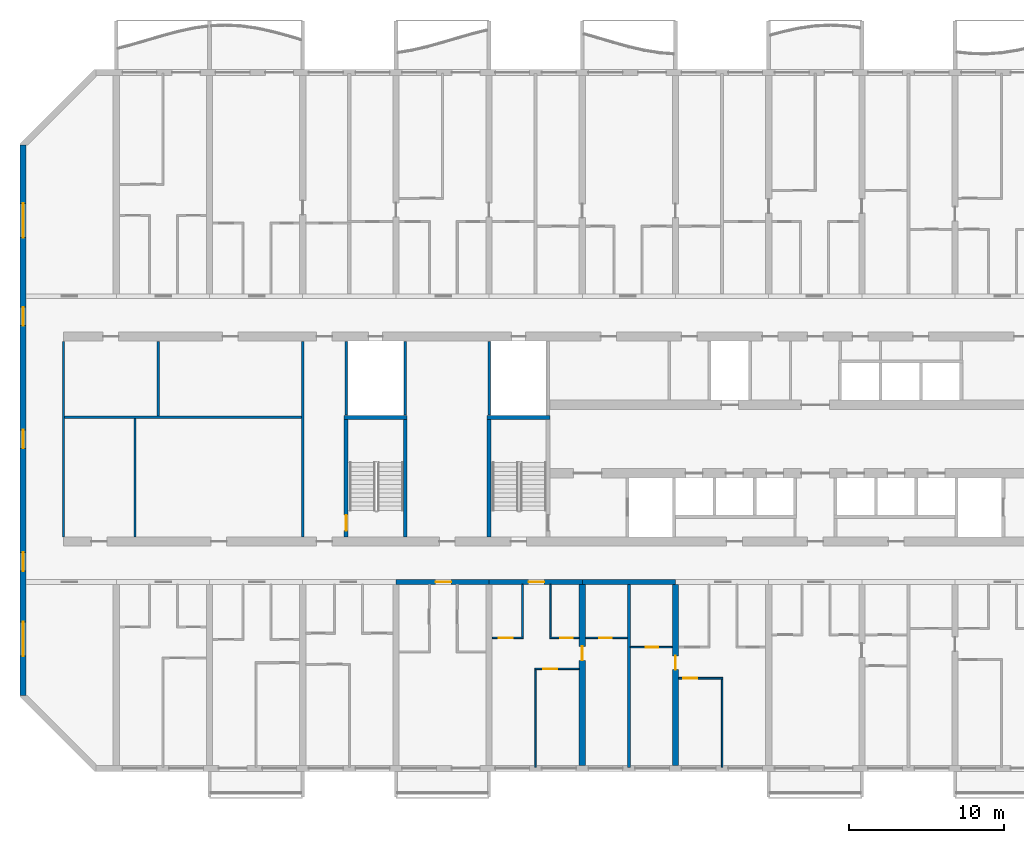
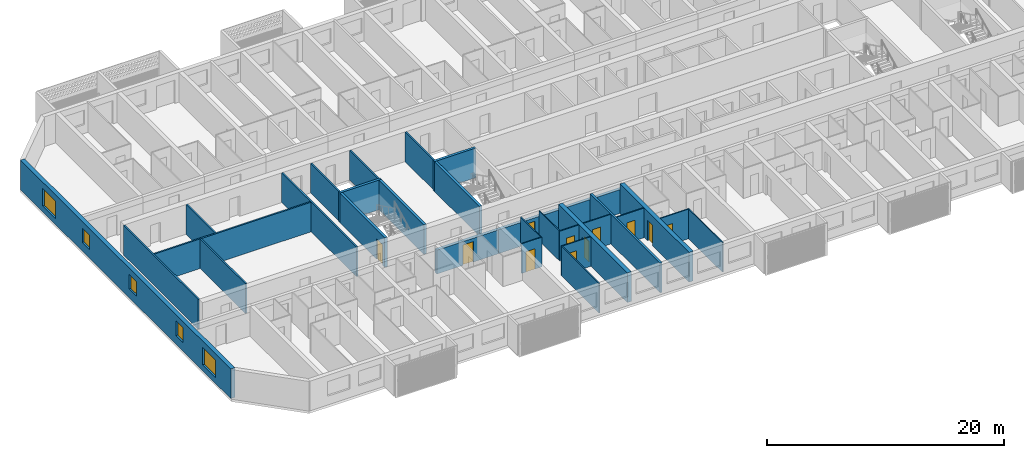
# One storey, part 3 of 40: 30 walls, 11 doors, 5 windows, 16 openings.
"""IFC4 building model written with IfcOpenShell, lengths in metres."""

from ifc_helpers import new_model, si_unit, direction, frame, frame_2d, origin, place, context, subcontext, project, spatial, rectangle, extrude, material, layer, layer_set, type_object, element, fill, save


model = new_model("IFC4")

# Units and contexts
model_context = context("Model", 3, precision=1e-05, world=origin(), true_north=direction((0.0, 1.0)))
body_context = subcontext(model_context, "Body", "Model", "MODEL_VIEW")
ifc_project = project(units=[si_unit("LENGTHUNIT", "METRE"), si_unit("AREAUNIT", "SQUARE_METRE"), si_unit("VOLUMEUNIT", "CUBIC_METRE"), si_unit("PLANEANGLEUNIT", "RADIAN"), si_unit("MASSUNIT", "GRAM", prefix="KILO")], contexts=[model_context])

# Site, building, storey
site_placement = place(None, origin())
site = spatial("IfcSite", under=ifc_project, at=site_placement, CompositionType="ELEMENT")
building_placement = place(site_placement, origin())
building = spatial("IfcBuilding", under=site, at=building_placement, Name="Poui Terraces", CompositionType="ELEMENT")
storey_placement = place(building_placement, frame((0.0, 0.0, 33.300048828125)))
storey = spatial("IfcBuildingStorey", under=building, at=storey_placement, Name="L08", CompositionType="ELEMENT", Elevation=33.300048828125)

# Walls
ifc_material_1 = material(Name="Fire-rated plasterboard wall")
ifc_layer_1 = layer(ifc_material_1, 0.14990234375)
ifc_layer_set_1 = layer_set([ifc_layer_1], Name="Fire-rated plasterboard wall")
wall_type_1 = type_object("IfcWallType", Name="CORRIDOR WALL 150", PredefinedType="PARTITIONING", material=ifc_layer_set_1)
for number, where, z_axis, x_axis, name in (
    (1, (2.60009765625, 14.909912109375, 0.0), (0.0, 0.0, 1.0), (0.0, 1.0, 0.0), "CORRIDOR WALL 150"),
    (2, (18.0, 14.909912109375, 0.0), (0.0, 0.0, 1.0), (0.0, 1.0, 0.0), "CORRIDOR WALL 150"),
):
    element("IfcWall", number, at=place(storey_placement, frame(where, z_axis=z_axis, x_axis=x_axis)), inside=storey, type_object=wall_type_1, Name=name, PredefinedType="PARTITIONING", context=body_context, shape_type="SweptSolid", body=[
        extrude(rectangle(XDim=12.580078125, YDim=0.14990234375, at=frame_2d((6.2900390625, 0.0))), origin(), (0.0, 0.0, 1.0), 3.050048828125),
    ])

# Wall, opening, door
ifc_material_2 = material(Name="Concrete 80 MPa", Category="concrete")
ifc_layer_2 = layer(ifc_material_2, 0.300048828125)
ifc_layer_set_2 = layer_set([ifc_layer_2], Name="Concrete 80 MPa")
wall_type_2 = type_object("IfcWallType", Name="CORRIDOR WALL 300 80MPa", PredefinedType="SHEAR", material=ifc_layer_set_2)
wall_1_placement = place(storey_placement, frame((24.0, 12.0, 0.0), z_axis=(0.0, 0.0, 1.0), x_axis=(1.0, 0.0, 0.0)))
wall_1 = element("IfcWall", 3, at=wall_1_placement, inside=storey, type_object=wall_type_2, Name="CORRIDOR WALL LINE B BAY 5", PredefinedType="SHEAR", context=body_context, shape_type="SweptSolid", body=[
    extrude(rectangle(XDim=6.0, YDim=0.300048828125, at=frame_2d((3.0, 0.0))), origin(), (0.0, 0.0, 1.0), 2.449951171875),
])
opening_1_placement = place(wall_1_placement, frame((2.550048828125, 0.0, 0.0)))
opening_1 = element("IfcOpeningElement", 4, at=opening_1_placement, cuts=wall_1, Name="Opening FD30S", PredefinedType="OPENING", context=body_context, shape_type="SweptSolid", body=[
    extrude(rectangle(XDim=1.0, YDim=2.10009765625, at=frame_2d((0.5, 1.050048828125))), frame((0.0, 0.16015625, 0.0), z_axis=(0.0, -1.0, 0.0), x_axis=(1.0, 0.0, 0.0)), (0.0, 0.0, 1.0), 0.320068359375),
])
ifc_material_3 = material(Name="Steel fire door", Category="steel")
door_type_1 = type_object("IfcDoorType", Name="FLAT ENTRANCE DOOR 1000 X 2100", OperationType="NOTDEFINED", PredefinedType="DOOR", material=ifc_material_3)
door_1_placement = place(opening_1_placement, frame((1.0, 0.0, 0.0), z_axis=(0.0, 0.0, 1.0), x_axis=(-1.0, 0.0, 0.0)))
door_1 = element("IfcDoor", 5, at=door_1_placement, inside=storey, type_object=door_type_1, Name="FLAT ENTRANCE DOOR 104", OperationType="SINGLE_SWING_LEFT", OverallHeight=2.10009765625, OverallWidth=1.0, PredefinedType="DOOR", context=body_context, shape_type="SweptSolid", body=[
    extrude(rectangle(XDim=1.0, YDim=2.10009765625, at=frame_2d((0.5, 1.050048828125))), frame((0.0, 0.02490234375, 0.0), z_axis=(0.0, -1.0, 0.0), x_axis=(1.0, 0.0, 0.0)), (0.0, 0.0, 1.0), 0.050048828125),
])
fill(opening_1, door_1)

wall_2_placement = place(storey_placement, frame((30.0, 12.0, 0.0), z_axis=(0.0, 0.0, 1.0), x_axis=(1.0, 0.0, 0.0)))
wall_2 = element("IfcWall", 6, at=wall_2_placement, inside=storey, type_object=wall_type_2, Name="CORRIDOR WALL LINE B BAY 6", PredefinedType="SHEAR", context=body_context, shape_type="SweptSolid", body=[
    extrude(rectangle(XDim=6.0, YDim=0.300048828125, at=frame_2d((3.0, 0.0))), origin(), (0.0, 0.0, 1.0), 2.449951171875),
])
opening_2_placement = place(wall_2_placement, frame((2.550048828125, 0.0, 0.0)))
opening_2 = element("IfcOpeningElement", 7, at=opening_2_placement, cuts=wall_2, Name="Opening FD30S", PredefinedType="OPENING", context=body_context, shape_type="SweptSolid", body=[
    extrude(rectangle(XDim=1.0, YDim=2.10009765625, at=frame_2d((0.5, 1.050048828125))), frame((0.0, 0.16015625, 0.0), z_axis=(0.0, -1.0, 0.0), x_axis=(1.0, 0.0, 0.0)), (0.0, 0.0, 1.0), 0.320068359375),
])
door_2_placement = place(opening_2_placement, frame((1.0, 0.0, 0.0), z_axis=(0.0, 0.0, 1.0), x_axis=(-1.0, 0.0, 0.0)))
door_2 = element("IfcDoor", 8, at=door_2_placement, inside=storey, type_object=door_type_1, Name="FLAT ENTRANCE DOOR 108", OperationType="SINGLE_SWING_LEFT", OverallHeight=2.10009765625, OverallWidth=1.0, PredefinedType="DOOR", context=body_context, shape_type="SweptSolid", body=[
    extrude(rectangle(XDim=1.0, YDim=2.10009765625, at=frame_2d((0.5, 1.050048828125))), frame((0.0, 0.02490234375, 0.0), z_axis=(0.0, -1.0, 0.0), x_axis=(1.0, 0.0, 0.0)), (0.0, 0.0, 1.0), 0.050048828125),
])
fill(opening_2, door_2)

# Wall
wall_3_placement = place(storey_placement, frame((36.0, 12.0, 0.0), z_axis=(0.0, 0.0, 1.0), x_axis=(1.0, 0.0, 0.0)))
element("IfcWall", 9, at=wall_3_placement, inside=storey, type_object=wall_type_2, Name="CORRIDOR WALL LINE B BAY 7", PredefinedType="SHEAR", context=body_context, shape_type="SweptSolid", body=[
    extrude(rectangle(XDim=6.0, YDim=0.300048828125, at=frame_2d((3.0, 0.0))), origin(), (0.0, 0.0, 1.0), 2.449951171875),
])

# Wall, opening, door
ifc_layer_3 = layer(ifc_material_2, 0.39990234375)
ifc_layer_set_3 = layer_set([ifc_layer_3], Name="Concrete 80 MPa")
wall_type_3 = type_object("IfcWallType", Name="CROSS WALL 400 80MPa", PredefinedType="SHEAR", material=ifc_layer_set_3)
wall_4_placement = place(storey_placement, frame((36.0, 0.199951171875, 0.0), z_axis=(0.0, 0.0, 1.0), x_axis=(0.0, 1.0, 0.0)))
wall_4 = element("IfcWall", 10, at=wall_4_placement, inside=storey, type_object=wall_type_3, Name="CROSS WALL LINE 7 SOUTH", PredefinedType="SHEAR", context=body_context, shape_type="SweptSolid", body=[
    extrude(rectangle(XDim=11.650146484375, YDim=0.39990234375, at=frame_2d((5.8251953125, 0.0))), origin(), (0.0, 0.0, 1.0), 3.050048828125),
])
opening_3_placement = place(wall_4_placement, frame((6.75, 0.0, 0.0)))
opening_3 = element("IfcOpeningElement", 11, at=opening_3_placement, cuts=wall_4, Name="Opening D90", PredefinedType="OPENING", context=body_context, shape_type="SweptSolid", body=[
    extrude(rectangle(XDim=0.89990234375, YDim=2.10009765625, at=frame_2d((0.449951171875, 1.050048828125))), frame((0.0, 0.2099609375, 0.0), z_axis=(0.0, -1.0, 0.0), x_axis=(1.0, 0.0, 0.0)), (0.0, 0.0, 1.0), 0.419921875),
])
ifc_material_4 = material(Name="Solid core timber door", Category="wood")
door_type_2 = type_object("IfcDoorType", Name="INTERNAL DOOR 900 X 2100", OperationType="NOTDEFINED", PredefinedType="DOOR", material=ifc_material_4)
door_3_placement = place(opening_3_placement, frame((0.89990234375, 0.0, 0.0), z_axis=(0.0, 0.0, 1.0), x_axis=(-1.0, 0.0, 0.0)))
door_3 = element("IfcDoor", 12, at=door_3_placement, inside=storey, type_object=door_type_2, Name="INTERNAL DOOR 111", OperationType="SINGLE_SWING_LEFT", OverallHeight=2.10009765625, OverallWidth=0.89990234375, PredefinedType="DOOR", context=body_context, shape_type="SweptSolid", body=[
    extrude(rectangle(XDim=0.89990234375, YDim=2.10009765625, at=frame_2d((0.449951171875, 1.050048828125))), frame((0.0, 0.02490234375, 0.0), z_axis=(0.0, -1.0, 0.0), x_axis=(1.0, 0.0, 0.0)), (0.0, 0.0, 1.0), 0.050048828125),
])
fill(opening_3, door_3)

wall_5_placement = place(storey_placement, frame((42.0, 0.199951171875, 0.0), z_axis=(0.0, 0.0, 1.0), x_axis=(0.0, 1.0, 0.0)))
wall_5 = element("IfcWall", 13, at=wall_5_placement, inside=storey, type_object=wall_type_3, Name="CROSS WALL LINE 8 SOUTH", PredefinedType="SHEAR", context=body_context, shape_type="SweptSolid", body=[
    extrude(rectangle(XDim=11.650146484375, YDim=0.39990234375, at=frame_2d((5.8251953125, 0.0))), origin(), (0.0, 0.0, 1.0), 3.050048828125),
])
opening_4_placement = place(wall_5_placement, frame((6.14990234375, 0.0, 0.0)))
opening_4 = element("IfcOpeningElement", 14, at=opening_4_placement, cuts=wall_5, Name="Opening D90", PredefinedType="OPENING", context=body_context, shape_type="SweptSolid", body=[
    extrude(rectangle(XDim=0.89990234375, YDim=2.10009765625, at=frame_2d((0.449951171875, 1.050048828125))), frame((0.0, 0.2099609375, 0.0), z_axis=(0.0, -1.0, 0.0), x_axis=(1.0, 0.0, 0.0)), (0.0, 0.0, 1.0), 0.419921875),
])
door_4_placement = place(opening_4_placement, origin())
door_4 = element("IfcDoor", 15, at=door_4_placement, inside=storey, type_object=door_type_2, Name="INTERNAL DOOR 113", OperationType="SINGLE_SWING_RIGHT", OverallHeight=2.10009765625, OverallWidth=0.89990234375, PredefinedType="DOOR", context=body_context, shape_type="SweptSolid", body=[
    extrude(rectangle(XDim=0.89990234375, YDim=2.10009765625, at=frame_2d((0.449951171875, 1.050048828125))), frame((0.0, 0.02490234375, 0.0), z_axis=(0.0, -1.0, 0.0), x_axis=(1.0, 0.0, 0.0)), (0.0, 0.0, 1.0), 0.050048828125),
])
fill(opening_4, door_4)

# Wall, openings, windows
ifc_layer_4 = layer(ifc_material_2, 0.39990234375)
ifc_layer_set_4 = layer_set([ifc_layer_4], Name="Concrete 80 MPa")
wall_type_4 = type_object("IfcWallType", Name="END WALL 400 80MPa", PredefinedType="SHEAR", material=ifc_layer_set_4)
wall_6_placement = place(storey_placement, frame((0.0, 4.682861328125, 0.0), z_axis=(0.0, 0.0, 1.0), x_axis=(0.0, 1.0, 0.0)))
wall_6 = element("IfcWall", 16, at=wall_6_placement, inside=storey, type_object=wall_type_4, Name="END WALL WEST", PredefinedType="SHEAR", context=body_context, shape_type="SweptSolid", body=[
    extrude(rectangle(XDim=35.434326171875, YDim=0.39990234375, at=frame_2d((17.71728515625, 0.0))), origin(), (0.0, 0.0, 1.0), 3.050048828125),
])
opening_5_placement = place(wall_6_placement, frame((23.817138671875, 0.0, 0.89990234375)))
opening_5 = element("IfcOpeningElement", 17, at=opening_5_placement, cuts=wall_6, Name="Opening W2", PredefinedType="OPENING", context=body_context, shape_type="SweptSolid", body=[
    extrude(rectangle(XDim=1.199951171875, YDim=1.5, at=frame_2d((0.60009765625, 0.75))), frame((0.0, 0.2099609375, 0.0), z_axis=(0.0, -1.0, 0.0), x_axis=(1.0, 0.0, 0.0)), (0.0, 0.0, 1.0), 0.419921875),
])
opening_6_placement = place(wall_6_placement, frame((8.01708984375, 0.0, 0.89990234375)))
opening_6 = element("IfcOpeningElement", 18, at=opening_6_placement, cuts=wall_6, Name="Opening W2", PredefinedType="OPENING", context=body_context, shape_type="SweptSolid", body=[
    extrude(rectangle(XDim=1.199951171875, YDim=1.5, at=frame_2d((0.60009765625, 0.75))), frame((0.0, 0.2099609375, 0.0), z_axis=(0.0, -1.0, 0.0), x_axis=(1.0, 0.0, 0.0)), (0.0, 0.0, 1.0), 0.419921875),
])
opening_7_placement = place(wall_6_placement, frame((15.917236328125, 0.0, 0.89990234375)))
opening_7 = element("IfcOpeningElement", 19, at=opening_7_placement, cuts=wall_6, Name="Opening W2", PredefinedType="OPENING", context=body_context, shape_type="SweptSolid", body=[
    extrude(rectangle(XDim=1.199951171875, YDim=1.5, at=frame_2d((0.60009765625, 0.75))), frame((0.0, 0.2099609375, 0.0), z_axis=(0.0, -1.0, 0.0), x_axis=(1.0, 0.0, 0.0)), (0.0, 0.0, 1.0), 0.419921875),
])
opening_8_placement = place(wall_6_placement, frame((29.493408203125, 0.0, 0.60009765625)))
opening_8 = element("IfcOpeningElement", 20, at=opening_8_placement, cuts=wall_6, Name="Opening W3", PredefinedType="OPENING", context=body_context, shape_type="SweptSolid", body=[
    extrude(rectangle(XDim=2.199951171875, YDim=1.800048828125, at=frame_2d((1.10009765625, 0.89990234375))), frame((0.0, 0.2099609375, 0.0), z_axis=(0.0, -1.0, 0.0), x_axis=(1.0, 0.0, 0.0)), (0.0, 0.0, 1.0), 0.419921875),
])
opening_9_placement = place(wall_6_placement, frame((2.541015625, 0.0, 0.60009765625)))
opening_9 = element("IfcOpeningElement", 21, at=opening_9_placement, cuts=wall_6, Name="Opening W3", PredefinedType="OPENING", context=body_context, shape_type="SweptSolid", body=[
    extrude(rectangle(XDim=2.199951171875, YDim=1.800048828125, at=frame_2d((1.10009765625, 0.89990234375))), frame((0.0, 0.2099609375, 0.0), z_axis=(0.0, -1.0, 0.0), x_axis=(1.0, 0.0, 0.0)), (0.0, 0.0, 1.0), 0.419921875),
])
ifc_material_5 = material(Name="Clear glass in aluminium frame", Category="aluminium")
window_type_1 = type_object("IfcWindowType", Name="WINDOW 1200X1500", PartitioningType="SINGLE_PANEL", PredefinedType="WINDOW", material=ifc_material_5)
window_1_placement = place(opening_5_placement, origin())
window_1 = element("IfcWindow", 22, at=window_1_placement, inside=storey, type_object=window_type_1, Name="W2 WINDOW", OverallHeight=1.5, OverallWidth=1.199951171875, PartitioningType="SINGLE_PANEL", PredefinedType="WINDOW", context=body_context, shape_type="SweptSolid", body=[
    extrude(rectangle(XDim=1.199951171875, YDim=1.5, at=frame_2d((0.60009765625, 0.75))), frame((0.0, 0.030029296875, 0.0), z_axis=(0.0, -1.0, 0.0), x_axis=(1.0, 0.0, 0.0)), (0.0, 0.0, 1.0), 0.06005859375),
])
fill(opening_5, window_1)
window_2_placement = place(opening_6_placement, origin())
window_2 = element("IfcWindow", 23, at=window_2_placement, inside=storey, type_object=window_type_1, Name="W2 WINDOW", OverallHeight=1.5, OverallWidth=1.199951171875, PartitioningType="SINGLE_PANEL", PredefinedType="WINDOW", context=body_context, shape_type="SweptSolid", body=[
    extrude(rectangle(XDim=1.199951171875, YDim=1.5, at=frame_2d((0.60009765625, 0.75))), frame((0.0, 0.030029296875, 0.0), z_axis=(0.0, -1.0, 0.0), x_axis=(1.0, 0.0, 0.0)), (0.0, 0.0, 1.0), 0.06005859375),
])
fill(opening_6, window_2)
window_3_placement = place(opening_7_placement, origin())
window_3 = element("IfcWindow", 24, at=window_3_placement, inside=storey, type_object=window_type_1, Name="W2 WINDOW", OverallHeight=1.5, OverallWidth=1.199951171875, PartitioningType="SINGLE_PANEL", PredefinedType="WINDOW", context=body_context, shape_type="SweptSolid", body=[
    extrude(rectangle(XDim=1.199951171875, YDim=1.5, at=frame_2d((0.60009765625, 0.75))), frame((0.0, 0.030029296875, 0.0), z_axis=(0.0, -1.0, 0.0), x_axis=(1.0, 0.0, 0.0)), (0.0, 0.0, 1.0), 0.06005859375),
])
fill(opening_7, window_3)
window_type_2 = type_object("IfcWindowType", Name="WINDOW 2200X1800", PartitioningType="DOUBLE_PANEL_HORIZONTAL", PredefinedType="WINDOW", material=ifc_material_5)
window_4_placement = place(opening_8_placement, origin())
window_4 = element("IfcWindow", 25, at=window_4_placement, inside=storey, type_object=window_type_2, Name="W3 WINDOW", OverallHeight=1.800048828125, OverallWidth=2.199951171875, PartitioningType="DOUBLE_PANEL_HORIZONTAL", PredefinedType="WINDOW", context=body_context, shape_type="SweptSolid", body=[
    extrude(rectangle(XDim=2.199951171875, YDim=1.800048828125, at=frame_2d((1.10009765625, 0.89990234375))), frame((0.0, 0.030029296875, 0.0), z_axis=(0.0, -1.0, 0.0), x_axis=(1.0, 0.0, 0.0)), (0.0, 0.0, 1.0), 0.06005859375),
])
fill(opening_8, window_4)
window_5_placement = place(opening_9_placement, origin())
window_5 = element("IfcWindow", 26, at=window_5_placement, inside=storey, type_object=window_type_2, Name="W3 WINDOW", OverallHeight=1.800048828125, OverallWidth=2.199951171875, PartitioningType="DOUBLE_PANEL_HORIZONTAL", PredefinedType="WINDOW", context=body_context, shape_type="SweptSolid", body=[
    extrude(rectangle(XDim=2.199951171875, YDim=1.800048828125, at=frame_2d((1.10009765625, 0.89990234375))), frame((0.0, 0.030029296875, 0.0), z_axis=(0.0, -1.0, 0.0), x_axis=(1.0, 0.0, 0.0)), (0.0, 0.0, 1.0), 0.06005859375),
])
fill(opening_9, window_5)

# Wall, opening, door
ifc_material_6 = material(Name="Plasterboard partition")
ifc_layer_5 = layer(ifc_material_6, 0.10009765625)
ifc_layer_set_5 = layer_set([ifc_layer_5], Name="Plasterboard partition")
wall_type_5 = type_object("IfcWallType", Name="FLAT PARTITION 100", PredefinedType="PARTITIONING", material=ifc_layer_set_5)
wall_7_placement = place(storey_placement, frame((42.2099609375, 5.800048828125, 0.0), z_axis=(0.0, 0.0, 1.0), x_axis=(1.0, 0.0, 0.0)))
wall_7 = element("IfcWall", 27, at=wall_7_placement, inside=storey, type_object=wall_type_5, Name="FLAT PARTITION 100", PredefinedType="PARTITIONING", context=body_context, shape_type="SweptSolid", body=[
    extrude(rectangle(XDim=2.840087890625, YDim=0.10009765625, at=frame_2d((1.419921875, 0.0))), origin(), (0.0, 0.0, 1.0), 3.050048828125),
])
opening_10_placement = place(wall_7_placement, frame((0.2900390625, 0.0, 0.0)))
opening_10 = element("IfcOpeningElement", 28, at=opening_10_placement, cuts=wall_7, Name="Opening D90", PredefinedType="OPENING", context=body_context, shape_type="SweptSolid", body=[
    extrude(rectangle(XDim=0.89990234375, YDim=2.10009765625, at=frame_2d((0.449951171875, 1.050048828125))), frame((0.0, 0.06005859375, 0.0), z_axis=(0.0, -1.0, 0.0), x_axis=(1.0, 0.0, 0.0)), (0.0, 0.0, 1.0), 0.1201171875),
])
door_5_placement = place(opening_10_placement, origin())
door_5 = element("IfcDoor", 29, at=door_5_placement, inside=storey, type_object=door_type_2, Name="INTERNAL DOOR 114", OperationType="SINGLE_SWING_RIGHT", OverallHeight=2.10009765625, OverallWidth=0.89990234375, PredefinedType="DOOR", context=body_context, shape_type="SweptSolid", body=[
    extrude(rectangle(XDim=0.89990234375, YDim=2.10009765625, at=frame_2d((0.449951171875, 1.050048828125))), frame((0.0, 0.02490234375, 0.0), z_axis=(0.0, -1.0, 0.0), x_axis=(1.0, 0.0, 0.0)), (0.0, 0.0, 1.0), 0.050048828125),
])
fill(opening_10, door_5)

wall_8_placement = place(storey_placement, frame((32.949951171875, 6.39990234375, 0.0), z_axis=(0.0, 0.0, 1.0), x_axis=(1.0, 0.0, 0.0)))
wall_8 = element("IfcWall", 30, at=wall_8_placement, inside=storey, type_object=wall_type_5, Name="FLAT PARTITION 100", PredefinedType="PARTITIONING", context=body_context, shape_type="SweptSolid", body=[
    extrude(rectangle(XDim=2.840087890625, YDim=0.10009765625, at=frame_2d((1.419921875, 0.0))), origin(), (0.0, 0.0, 1.0), 3.050048828125),
])
opening_11_placement = place(wall_8_placement, frame((0.550048828125, 0.0, 0.0)))
opening_11 = element("IfcOpeningElement", 31, at=opening_11_placement, cuts=wall_8, Name="Opening D90", PredefinedType="OPENING", context=body_context, shape_type="SweptSolid", body=[
    extrude(rectangle(XDim=0.89990234375, YDim=2.10009765625, at=frame_2d((0.449951171875, 1.050048828125))), frame((0.0, 0.06005859375, 0.0), z_axis=(0.0, -1.0, 0.0), x_axis=(1.0, 0.0, 0.0)), (0.0, 0.0, 1.0), 0.1201171875),
])
door_6_placement = place(opening_11_placement, origin())
door_6 = element("IfcDoor", 32, at=door_6_placement, inside=storey, type_object=door_type_2, Name="INTERNAL DOOR 109", OperationType="SINGLE_SWING_RIGHT", OverallHeight=2.10009765625, OverallWidth=0.89990234375, PredefinedType="DOOR", context=body_context, shape_type="SweptSolid", body=[
    extrude(rectangle(XDim=0.89990234375, YDim=2.10009765625, at=frame_2d((0.449951171875, 1.050048828125))), frame((0.0, 0.02490234375, 0.0), z_axis=(0.0, -1.0, 0.0), x_axis=(1.0, 0.0, 0.0)), (0.0, 0.0, 1.0), 0.050048828125),
])
fill(opening_11, door_6)

wall_9_placement = place(storey_placement, frame((39.10009765625, 7.800048828125, 0.0), z_axis=(0.0, 0.0, 1.0), x_axis=(1.0, 0.0, 0.0)))
wall_9 = element("IfcWall", 33, at=wall_9_placement, inside=storey, type_object=wall_type_5, Name="FLAT PARTITION 100", PredefinedType="PARTITIONING", context=body_context, shape_type="SweptSolid", body=[
    extrude(rectangle(XDim=2.68994140625, YDim=0.10009765625, at=frame_2d((1.344970703125, 0.0))), origin(), (0.0, 0.0, 1.0), 3.050048828125),
])
opening_12_placement = place(wall_9_placement, frame((1.0, 0.0, 0.0)))
opening_12 = element("IfcOpeningElement", 34, at=opening_12_placement, cuts=wall_9, Name="Opening D80", PredefinedType="OPENING", context=body_context, shape_type="SweptSolid", body=[
    extrude(rectangle(XDim=0.800048828125, YDim=2.10009765625, at=frame_2d((0.39990234375, 1.050048828125))), frame((0.0, 0.06005859375, 0.0), z_axis=(0.0, -1.0, 0.0), x_axis=(1.0, 0.0, 0.0)), (0.0, 0.0, 1.0), 0.1201171875),
])
door_type_3 = type_object("IfcDoorType", Name="BATHROOM, LAUNDRY AND STORE DOOR 800 X 2100", OperationType="NOTDEFINED", PredefinedType="DOOR", material=ifc_material_4)
door_7_placement = place(opening_12_placement, origin())
door_7 = element("IfcDoor", 35, at=door_7_placement, inside=storey, type_object=door_type_3, Name="BATHROOM, LAUNDRY AND STORE DOOR 112", OperationType="SINGLE_SWING_LEFT", OverallHeight=2.10009765625, OverallWidth=0.800048828125, PredefinedType="DOOR", context=body_context, shape_type="SweptSolid", body=[
    extrude(rectangle(XDim=0.800048828125, YDim=2.10009765625, at=frame_2d((0.39990234375, 1.050048828125))), frame((0.0, 0.02490234375, 0.0), z_axis=(0.0, -1.0, 0.0), x_axis=(1.0, 0.0, 0.0)), (0.0, 0.0, 1.0), 0.050048828125),
])
fill(opening_12, door_7)

wall_10_placement = place(storey_placement, frame((30.2099609375, 8.39990234375, 0.0), z_axis=(0.0, 0.0, 1.0), x_axis=(1.0, 0.0, 0.0)))
wall_10 = element("IfcWall", 36, at=wall_10_placement, inside=storey, type_object=wall_type_5, Name="FLAT PARTITION 100", PredefinedType="PARTITIONING", context=body_context, shape_type="SweptSolid", body=[
    extrude(rectangle(XDim=1.989990234375, YDim=0.10009765625, at=frame_2d((0.9951171875, 0.0))), origin(), (0.0, 0.0, 1.0), 3.050048828125),
])
opening_13_placement = place(wall_10_placement, frame((0.4150390625, 0.0, 0.0)))
opening_13 = element("IfcOpeningElement", 37, at=opening_13_placement, cuts=wall_10, Name="Opening D90", PredefinedType="OPENING", context=body_context, shape_type="SweptSolid", body=[
    extrude(rectangle(XDim=0.89990234375, YDim=2.10009765625, at=frame_2d((0.449951171875, 1.050048828125))), frame((0.0, 0.06005859375, 0.0), z_axis=(0.0, -1.0, 0.0), x_axis=(1.0, 0.0, 0.0)), (0.0, 0.0, 1.0), 0.1201171875),
])
door_8_placement = place(opening_13_placement, origin())
door_8 = element("IfcDoor", 38, at=door_8_placement, inside=storey, type_object=door_type_2, Name="INTERNAL DOOR 107", OperationType="SINGLE_SWING_RIGHT", OverallHeight=2.10009765625, OverallWidth=0.89990234375, PredefinedType="DOOR", context=body_context, shape_type="SweptSolid", body=[
    extrude(rectangle(XDim=0.89990234375, YDim=2.10009765625, at=frame_2d((0.449951171875, 1.050048828125))), frame((0.0, 0.02490234375, 0.0), z_axis=(0.0, -1.0, 0.0), x_axis=(1.0, 0.0, 0.0)), (0.0, 0.0, 1.0), 0.050048828125),
])
fill(opening_13, door_8)

wall_11_placement = place(storey_placement, frame((33.89990234375, 8.39990234375, 0.0), z_axis=(0.0, 0.0, 1.0), x_axis=(1.0, 0.0, 0.0)))
wall_11 = element("IfcWall", 39, at=wall_11_placement, inside=storey, type_object=wall_type_5, Name="FLAT PARTITION 100", PredefinedType="PARTITIONING", context=body_context, shape_type="SweptSolid", body=[
    extrude(rectangle(XDim=1.89013671875, YDim=0.10009765625, at=frame_2d((0.945068359375, 0.0))), origin(), (0.0, 0.0, 1.0), 3.050048828125),
])
opening_14_placement = place(wall_11_placement, frame((0.675048828125, 0.0, 0.0)))
opening_14 = element("IfcOpeningElement", 40, at=opening_14_placement, cuts=wall_11, Name="Opening D80", PredefinedType="OPENING", context=body_context, shape_type="SweptSolid", body=[
    extrude(rectangle(XDim=0.800048828125, YDim=2.10009765625, at=frame_2d((0.39990234375, 1.050048828125))), frame((0.0, 0.06005859375, 0.0), z_axis=(0.0, -1.0, 0.0), x_axis=(1.0, 0.0, 0.0)), (0.0, 0.0, 1.0), 0.1201171875),
])
door_9_placement = place(opening_14_placement, origin())
door_9 = element("IfcDoor", 41, at=door_9_placement, inside=storey, type_object=door_type_3, Name="BATHROOM, LAUNDRY AND STORE DOOR 110", OperationType="SINGLE_SWING_LEFT", OverallHeight=2.10009765625, OverallWidth=0.800048828125, PredefinedType="DOOR", context=body_context, shape_type="SweptSolid", body=[
    extrude(rectangle(XDim=0.800048828125, YDim=2.10009765625, at=frame_2d((0.39990234375, 1.050048828125))), frame((0.0, 0.02490234375, 0.0), z_axis=(0.0, -1.0, 0.0), x_axis=(1.0, 0.0, 0.0)), (0.0, 0.0, 1.0), 0.050048828125),
])
fill(opening_14, door_9)

wall_12_placement = place(storey_placement, frame((36.2099609375, 8.39990234375, 0.0), z_axis=(0.0, 0.0, 1.0), x_axis=(1.0, 0.0, 0.0)))
wall_12 = element("IfcWall", 42, at=wall_12_placement, inside=storey, type_object=wall_type_5, Name="FLAT PARTITION 100", PredefinedType="PARTITIONING", context=body_context, shape_type="SweptSolid", body=[
    extrude(rectangle(XDim=2.68994140625, YDim=0.10009765625, at=frame_2d((1.344970703125, 0.0))), origin(), (0.0, 0.0, 1.0), 3.050048828125),
])
opening_15_placement = place(wall_12_placement, frame((0.889892578125, 0.0, 0.0)))
opening_15 = element("IfcOpeningElement", 43, at=opening_15_placement, cuts=wall_12, Name="Opening D80", PredefinedType="OPENING", context=body_context, shape_type="SweptSolid", body=[
    extrude(rectangle(XDim=0.800048828125, YDim=2.10009765625, at=frame_2d((0.39990234375, 1.050048828125))), frame((0.0, 0.06005859375, 0.0), z_axis=(0.0, -1.0, 0.0), x_axis=(1.0, 0.0, 0.0)), (0.0, 0.0, 1.0), 0.1201171875),
])
door_10_placement = place(opening_15_placement, origin())
door_10 = element("IfcDoor", 44, at=door_10_placement, inside=storey, type_object=door_type_3, Name="BATHROOM, LAUNDRY AND STORE DOOR 106", OperationType="SINGLE_SWING_RIGHT", OverallHeight=2.10009765625, OverallWidth=0.800048828125, PredefinedType="DOOR", context=body_context, shape_type="SweptSolid", body=[
    extrude(rectangle(XDim=0.800048828125, YDim=2.10009765625, at=frame_2d((0.39990234375, 1.050048828125))), frame((0.0, 0.02490234375, 0.0), z_axis=(0.0, -1.0, 0.0), x_axis=(1.0, 0.0, 0.0)), (0.0, 0.0, 1.0), 0.050048828125),
])
fill(opening_15, door_10)

# Walls
wall_13_placement = place(storey_placement, frame((32.14990234375, 8.449951171875, 0.0), z_axis=(0.0, 0.0, 1.0), x_axis=(0.0, 1.0, 0.0)))
element("IfcWall", 45, at=wall_13_placement, inside=storey, type_object=wall_type_5, Name="FLAT PARTITION 100", PredefinedType="PARTITIONING", context=body_context, shape_type="SweptSolid", body=[
    extrude(rectangle(XDim=3.39013671875, YDim=0.10009765625, at=frame_2d((1.695068359375, 0.0))), origin(), (0.0, 0.0, 1.0), 3.050048828125),
])
wall_14_placement = place(storey_placement, frame((33.0, 0.06005859375, 0.0), z_axis=(0.0, 0.0, 1.0), x_axis=(0.0, 1.0, 0.0)))
element("IfcWall", 46, at=wall_14_placement, inside=storey, type_object=wall_type_5, Name="FLAT PARTITION 100", PredefinedType="PARTITIONING", context=body_context, shape_type="SweptSolid", body=[
    extrude(rectangle(XDim=6.2900390625, YDim=0.10009765625, at=frame_2d((3.14501953125, 0.0))), origin(), (0.0, 0.0, 1.0), 3.050048828125),
])
wall_15_placement = place(storey_placement, frame((33.949951171875, 8.449951171875, 0.0), z_axis=(0.0, 0.0, 1.0), x_axis=(0.0, 1.0, 0.0)))
element("IfcWall", 47, at=wall_15_placement, inside=storey, type_object=wall_type_5, Name="FLAT PARTITION 100", PredefinedType="PARTITIONING", context=body_context, shape_type="SweptSolid", body=[
    extrude(rectangle(XDim=3.39013671875, YDim=0.10009765625, at=frame_2d((1.695068359375, 0.0))), origin(), (0.0, 0.0, 1.0), 3.050048828125),
])
wall_16_placement = place(storey_placement, frame((45.0, 0.06005859375, 0.0), z_axis=(0.0, 0.0, 1.0), x_axis=(0.0, 1.0, 0.0)))
element("IfcWall", 48, at=wall_16_placement, inside=storey, type_object=wall_type_5, Name="FLAT PARTITION 100", PredefinedType="PARTITIONING", context=body_context, shape_type="SweptSolid", body=[
    extrude(rectangle(XDim=5.68994140625, YDim=0.10009765625, at=frame_2d((2.844970703125, 0.0))), origin(), (0.0, 0.0, 1.0), 3.050048828125),
])
ifc_material_7 = material(Name="Fire-rated masonry wall", Category="masonry")
ifc_layer_6 = layer(ifc_material_7, 0.199951171875)
ifc_layer_set_6 = layer_set([ifc_layer_6], Name="Fire-rated masonry wall")
wall_type_6 = type_object("IfcWallType", Name="FLAT PARTY WALL 200", PredefinedType="PARTITIONING", material=ifc_layer_set_6)
wall_17_placement = place(storey_placement, frame((39.0, 0.06005859375, 0.0), z_axis=(0.0, 0.0, 1.0), x_axis=(0.0, 1.0, 0.0)))
element("IfcWall", 49, at=wall_17_placement, inside=storey, type_object=wall_type_6, Name="FLAT PARTY WALL 200", PredefinedType="PARTITIONING", context=body_context, shape_type="SweptSolid", body=[
    extrude(rectangle(XDim=11.780029296875, YDim=0.199951171875, at=frame_2d((5.89013671875, 0.0))), origin(), (0.0, 0.0, 1.0), 3.050048828125),
])
ifc_layer_7 = layer(ifc_material_6, 0.14990234375)
ifc_layer_set_7 = layer_set([ifc_layer_7], Name="Plasterboard partition")
wall_type_7 = type_object("IfcWallType", Name="PARTITION WALL 150", PredefinedType="PARTITIONING", material=ifc_layer_set_7)
wall_18_placement = place(storey_placement, frame((2.675048828125, 22.60009765625, 0.0), z_axis=(0.0, 0.0, 1.0), x_axis=(1.0, 0.0, 0.0)))
element("IfcWall", 50, at=wall_18_placement, inside=storey, type_object=wall_type_7, Name="PARTITION WALL 150", PredefinedType="PARTITIONING", context=body_context, shape_type="SweptSolid", body=[
    extrude(rectangle(XDim=15.25, YDim=0.14990234375, at=frame_2d((7.625, 0.0))), origin(), (0.0, 0.0, 1.0), 3.050048828125),
])
wall_19_placement = place(storey_placement, frame((7.199951171875, 14.909912109375, 0.0), z_axis=(0.0, 0.0, 1.0), x_axis=(0.0, 1.0, 0.0)))
element("IfcWall", 51, at=wall_19_placement, inside=storey, type_object=wall_type_7, Name="PARTITION WALL 150", PredefinedType="PARTITIONING", context=body_context, shape_type="SweptSolid", body=[
    extrude(rectangle(XDim=7.614990234375, YDim=0.14990234375, at=frame_2d((3.8076171875, 0.0))), origin(), (0.0, 0.0, 1.0), 3.050048828125),
])
wall_20_placement = place(storey_placement, frame((8.699951171875, 22.675048828125, 0.0), z_axis=(0.0, 0.0, 1.0), x_axis=(0.0, 1.0, 0.0)))
element("IfcWall", 52, at=wall_20_placement, inside=storey, type_object=wall_type_7, Name="PARTITION WALL 150", PredefinedType="PARTITIONING", context=body_context, shape_type="SweptSolid", body=[
    extrude(rectangle(XDim=4.81494140625, YDim=0.14990234375, at=frame_2d((2.407470703125, 0.0))), origin(), (0.0, 0.0, 1.0), 3.050048828125),
])
ifc_material_8 = material(Name="Fire-rated plasterboard riser wall")
ifc_layer_8 = layer(ifc_material_8, 0.14990234375)
ifc_layer_set_8 = layer_set([ifc_layer_8], Name="Fire-rated plasterboard riser wall")
wall_type_8 = type_object("IfcWallType", Name="RISER WALL 150", PredefinedType="PARTITIONING", material=ifc_layer_set_8)
for number, where, z_axis, x_axis, name in (
    (53, (20.800048828125, 22.735107421875, 0.0), (0.0, 0.0, 1.0), (0.0, 1.0, 0.0), "RISER WALL 150"),
    (54, (24.60009765625, 22.735107421875, 0.0), (0.0, 0.0, 1.0), (0.0, 1.0, 0.0), "RISER WALL 150"),
    (55, (30.0, 22.735107421875, 0.0), (0.0, 0.0, 1.0), (0.0, 1.0, 0.0), "RISER WALL 150"),
):
    element("IfcWall", number, at=place(storey_placement, frame(where, z_axis=z_axis, x_axis=x_axis)), inside=storey, type_object=wall_type_8, Name=name, PredefinedType="PARTITIONING", context=body_context, shape_type="SweptSolid", body=[
        extrude(rectangle(XDim=4.7548828125, YDim=0.14990234375, at=frame_2d((2.37744140625, 0.0))), origin(), (0.0, 0.0, 1.0), 3.050048828125),
    ])
ifc_layer_9 = layer(ifc_material_2, 0.25)
ifc_layer_set_9 = layer_set([ifc_layer_9], Name="Concrete 80 MPa")
wall_type_9 = type_object("IfcWallType", Name="STAIR CORE WALL 250 80 MPA", PredefinedType="SOLIDWALL", material=ifc_layer_set_9)
wall_21_placement = place(storey_placement, frame((30.0, 14.89990234375, 0.0), z_axis=(0.0, 0.0, 1.0), x_axis=(0.0, 1.0, 0.0)))
element("IfcWall", 56, at=wall_21_placement, inside=storey, type_object=wall_type_9, Name="STAIR CORE WALL", PredefinedType="SOLIDWALL", context=body_context, shape_type="SweptSolid", body=[
    extrude(rectangle(XDim=7.5751953125, YDim=0.25, at=frame_2d((3.78759765625, 0.0))), origin(), (0.0, 0.0, 1.0), 3.050048828125),
])
wall_22_placement = place(storey_placement, frame((29.875, 22.60009765625, 0.0), z_axis=(0.0, 0.0, 1.0), x_axis=(1.0, 0.0, 0.0)))
element("IfcWall", 57, at=wall_22_placement, inside=storey, type_object=wall_type_9, Name="STAIR CORE WALL", PredefinedType="SOLIDWALL", context=body_context, shape_type="SweptSolid", body=[
    extrude(rectangle(XDim=4.050048828125, YDim=0.25, at=frame_2d((2.02490234375, 0.0))), origin(), (0.0, 0.0, 1.0), 3.050048828125),
])

# Wall, opening, door
wall_23_placement = place(storey_placement, frame((20.800048828125, 14.89990234375, 0.0), z_axis=(0.0, 0.0, 1.0), x_axis=(0.0, 1.0, 0.0)))
wall_23 = element("IfcWall", 58, at=wall_23_placement, inside=storey, type_object=wall_type_9, Name="STAIR CORE WALL", PredefinedType="SOLIDWALL", context=body_context, shape_type="SweptSolid", body=[
    extrude(rectangle(XDim=7.5751953125, YDim=0.25, at=frame_2d((3.78759765625, 0.0))), origin(), (0.0, 0.0, 1.0), 3.050048828125),
])
opening_16_placement = place(wall_23_placement, frame((0.39990234375, 0.0, 0.0)))
opening_16 = element("IfcOpeningElement", 59, at=opening_16_placement, cuts=wall_23, Name="Opening FD60S", PredefinedType="OPENING", context=body_context, shape_type="SweptSolid", body=[
    extrude(rectangle(XDim=1.0, YDim=2.10009765625, at=frame_2d((0.5, 1.050048828125))), frame((0.0, 0.135009765625, 0.0), z_axis=(0.0, -1.0, 0.0), x_axis=(1.0, 0.0, 0.0)), (0.0, 0.0, 1.0), 0.27001953125),
])
door_type_4 = type_object("IfcDoorType", Name="STAIR DOOR 1000 X 2100", OperationType="NOTDEFINED", PredefinedType="DOOR", material=ifc_material_3)
door_11_placement = place(opening_16_placement, frame((1.0, 0.0, 0.0), z_axis=(0.0, 0.0, 1.0), x_axis=(-1.0, 0.0, 0.0)))
door_11 = element("IfcDoor", 60, at=door_11_placement, inside=storey, type_object=door_type_4, Name="STAIR DOOR 165", OperationType="SINGLE_SWING_RIGHT", OverallHeight=2.10009765625, OverallWidth=1.0, PredefinedType="DOOR", context=body_context, shape_type="SweptSolid", body=[
    extrude(rectangle(XDim=1.0, YDim=2.10009765625, at=frame_2d((0.5, 1.050048828125))), frame((0.0, 0.02490234375, 0.0), z_axis=(0.0, -1.0, 0.0), x_axis=(1.0, 0.0, 0.0)), (0.0, 0.0, 1.0), 0.050048828125),
])
fill(opening_16, door_11)

# Walls
wall_24_placement = place(storey_placement, frame((24.60009765625, 14.89990234375, 0.0), z_axis=(0.0, 0.0, 1.0), x_axis=(0.0, 1.0, 0.0)))
element("IfcWall", 61, at=wall_24_placement, inside=storey, type_object=wall_type_9, Name="STAIR CORE WALL", PredefinedType="SOLIDWALL", context=body_context, shape_type="SweptSolid", body=[
    extrude(rectangle(XDim=7.5751953125, YDim=0.25, at=frame_2d((3.78759765625, 0.0))), origin(), (0.0, 0.0, 1.0), 3.050048828125),
])
wall_25_placement = place(storey_placement, frame((20.675048828125, 22.60009765625, 0.0), z_axis=(0.0, 0.0, 1.0), x_axis=(1.0, 0.0, 0.0)))
element("IfcWall", 62, at=wall_25_placement, inside=storey, type_object=wall_type_9, Name="STAIR CORE WALL", PredefinedType="SOLIDWALL", context=body_context, shape_type="SweptSolid", body=[
    extrude(rectangle(XDim=4.050048828125, YDim=0.25, at=frame_2d((2.02490234375, 0.0))), origin(), (0.0, 0.0, 1.0), 3.050048828125),
])

save(model, "model.ifc")
